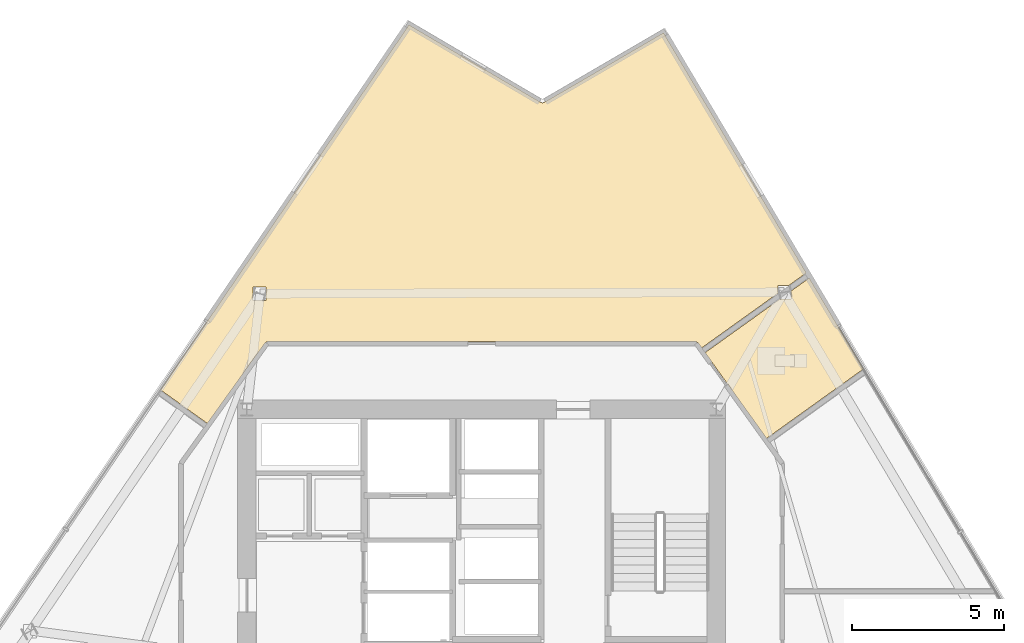
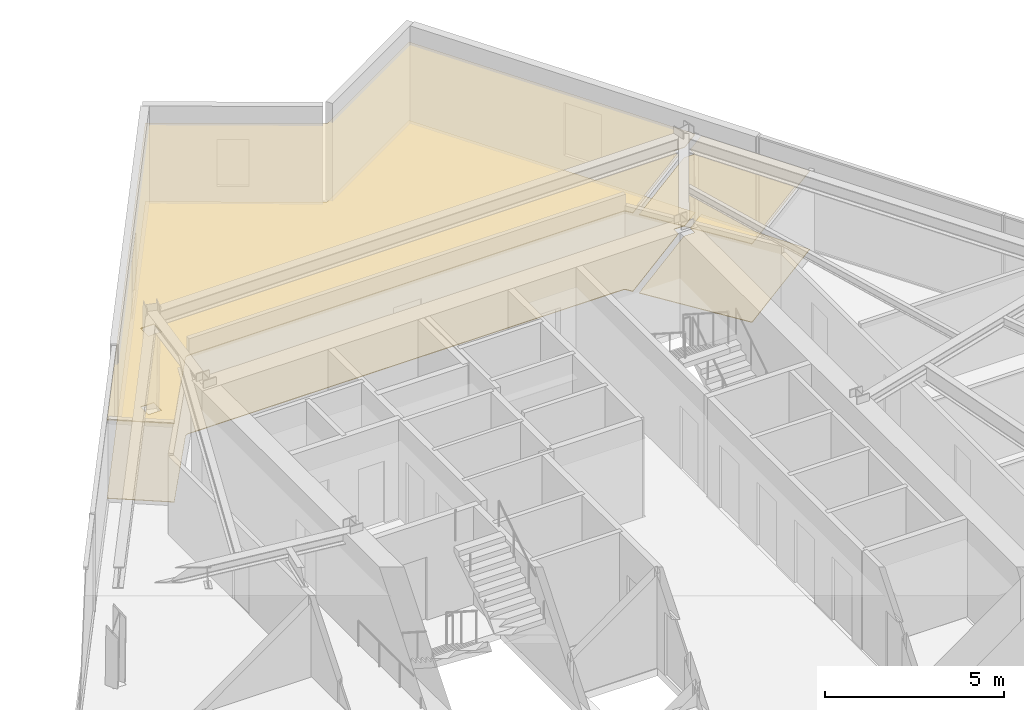
# One storey, part 14 of 15: 4 coverings.
"""IFC4 building model written with IfcOpenShell, lengths in metres."""

from ifc_helpers import new_model, si_unit, direction, frame, origin, place, context, subcontext, project, spatial, polyline, outline, extrude, material, layer, layer_set, type_object, element, save


model = new_model("IFC4")

# Units and contexts
model_context = context("Model", 3, precision=1e-05, world=origin(), true_north=direction((0.0, 1.0)))
body_context = subcontext(model_context, "Body", "Model", "MODEL_VIEW")
ifc_project = project(units=[si_unit("LENGTHUNIT", "METRE"), si_unit("AREAUNIT", "SQUARE_METRE"), si_unit("VOLUMEUNIT", "CUBIC_METRE"), si_unit("PLANEANGLEUNIT", "RADIAN"), si_unit("MASSUNIT", "GRAM", prefix="KILO")], contexts=[model_context])

# Site, building, storey
site_placement = place(None, origin())
site = spatial("IfcSite", under=ifc_project, at=site_placement, CompositionType="ELEMENT")
building_placement = place(site_placement, origin())
building = spatial("IfcBuilding", under=site, at=building_placement, Name="Savorim Split Tower", CompositionType="ELEMENT")
storey_placement = place(building_placement, frame((0.0, 0.0, 107.699951171875)))
storey = spatial("IfcBuildingStorey", under=building, at=storey_placement, Name="L28", CompositionType="ELEMENT", Elevation=107.699951171875)

# Coverings
ifc_material_1 = material(Name="Mineral Fibre Acoustic Ceiling")
ifc_layer_1 = layer(ifc_material_1, 0.02490234375)
ifc_layer_set_1 = layer_set([ifc_layer_1], Name="COV-CEIL-25")
covering_type_1 = type_object("IfcCoveringType", Name="COV-CEIL-25", PredefinedType="CEILING", material=ifc_layer_set_1)
covering_1_placement = place(storey_placement, frame((0.0, 0.0, 2.670166015625)))
element("IfcCovering", 1, at=covering_1_placement, inside=storey, type_object=covering_type_1, Name="L28 Shared Bathroom Acoustic Ceiling", PredefinedType="CEILING", context=body_context, shape_type="SweptSolid", body=[
    extrude(outline(polyline([(9.793701171875, 13.826416015625), (7.329345703125, 12.060791015625), (7.329345703125, 12.060791015625), (9.345703125, 9.24658203125), (12.522216796875, 11.5224609375), (10.74609375, 14.509033203125), (10.147705078125, 14.080078125), (10.147705078125, 13.826416015625), (9.793701171875, 13.826416015625)])), origin(), (0.0, 0.0, 1.0), 0.02490234375),
])
covering_2_placement = place(storey_placement, frame((0.0, 0.0, 2.670166015625)))
element("IfcCovering", 2, at=covering_2_placement, inside=storey, type_object=covering_type_1, Name="L28 Quiet Study Room Acoustic Ceiling", PredefinedType="CEILING", context=body_context, shape_type="SweptSolid", body=[
    extrude(outline(polyline([(1.955322265625, 20.260986328125), (1.944580078125, 20.265380859375), (1.934326171875, 20.270751953125), (-2.384765625, 22.80908203125), (-10.529296875, 10.836669921875), (-8.994384765625, 9.73681640625), (-7.11376953125, 12.361572265625), (-7.105712890625, 12.3720703125), (-7.096435546875, 12.381591796875), (-7.086181640625, 12.39013671875), (-7.075439453125, 12.39794921875), (-7.06396484375, 12.404541015625), (-7.052001953125, 12.409912109375), (-7.039306640625, 12.414306640625), (-7.0263671875, 12.41748046875), (-7.01318359375, 12.41943359375), (-7.0, 12.419921875), (7.0, 12.419921875), (7.01318359375, 12.41943359375), (7.0263671875, 12.41748046875), (7.039306640625, 12.414306640625), (7.052001953125, 12.409912109375), (7.06396484375, 12.404541015625), (7.075439453125, 12.39794921875), (7.086181640625, 12.39013671875), (7.096435546875, 12.381591796875), (7.105712890625, 12.3720703125), (7.11376953125, 12.361572265625), (7.218505859375, 12.215087890625), (9.7216796875, 14.008544921875), (9.7216796875, 14.262451171875), (10.075927734375, 14.262451171875), (10.601318359375, 14.638916015625), (10.648681640625, 14.6728515625), (5.96533203125, 22.54931640625), (2.0556640625, 20.2705078125), (2.04541015625, 20.26513671875), (2.03466796875, 20.260986328125), (2.023681640625, 20.257568359375), (2.01220703125, 20.25537109375), (2.000732421875, 20.25439453125), (1.9892578125, 20.25439453125), (1.977783203125, 20.255615234375), (1.96630859375, 20.2578125), (1.955322265625, 20.260986328125)]), holes=[polyline([(-7.06640625, 14.213623046875), (-7.4921875, 14.213623046875), (-7.4921875, 13.777587890625), (-7.06640625, 13.777587890625), (-7.06640625, 14.213623046875)])]), origin(), (0.0, 0.0, 1.0), 0.02490234375),
])
ifc_material_2 = material(Name="Porcelain Stoneware Flooring", Category="masonry")
ifc_layer_2 = layer(ifc_material_2, 0.02001953125)
ifc_layer_set_2 = layer_set([ifc_layer_2], Name="COV-FLOR-20")
covering_type_2 = type_object("IfcCoveringType", Name="COV-FLOR-20", PredefinedType="FLOORING", material=ifc_layer_set_2)
covering_3_placement = place(storey_placement, origin())
element("IfcCovering", 3, at=covering_3_placement, inside=storey, type_object=covering_type_2, Name="L28 Shared Bathroom Porcelain Flooring", PredefinedType="FLOORING", context=body_context, shape_type="SweptSolid", body=[
    extrude(outline(polyline([(9.793701171875, 13.826416015625), (7.329345703125, 12.060791015625), (7.329345703125, 12.060791015625), (9.345703125, 9.24658203125), (12.522216796875, 11.5224609375), (10.74609375, 14.509033203125), (10.147705078125, 14.080078125), (10.147705078125, 13.826416015625), (9.793701171875, 13.826416015625)])), origin(), (0.0, 0.0, 1.0), 0.02001953125),
])
covering_4_placement = place(storey_placement, origin())
element("IfcCovering", 4, at=covering_4_placement, inside=storey, type_object=covering_type_2, Name="L28 Quiet Study Room Porcelain Flooring", PredefinedType="FLOORING", context=body_context, shape_type="SweptSolid", body=[
    extrude(outline(polyline([(1.955322265625, 20.260986328125), (1.944580078125, 20.265380859375), (1.934326171875, 20.270751953125), (-2.384765625, 22.80908203125), (-10.529296875, 10.836669921875), (-8.994384765625, 9.73681640625), (-7.11376953125, 12.361572265625), (-7.105712890625, 12.3720703125), (-7.096435546875, 12.381591796875), (-7.086181640625, 12.39013671875), (-7.075439453125, 12.39794921875), (-7.06396484375, 12.404541015625), (-7.052001953125, 12.409912109375), (-7.039306640625, 12.414306640625), (-7.0263671875, 12.41748046875), (-7.01318359375, 12.41943359375), (-7.0, 12.419921875), (7.0, 12.419921875), (7.01318359375, 12.41943359375), (7.0263671875, 12.41748046875), (7.039306640625, 12.414306640625), (7.052001953125, 12.409912109375), (7.06396484375, 12.404541015625), (7.075439453125, 12.39794921875), (7.086181640625, 12.39013671875), (7.096435546875, 12.381591796875), (7.105712890625, 12.3720703125), (7.11376953125, 12.361572265625), (7.218505859375, 12.215087890625), (9.7216796875, 14.008544921875), (9.7216796875, 14.262451171875), (10.075927734375, 14.262451171875), (10.601318359375, 14.638916015625), (10.648681640625, 14.6728515625), (5.96533203125, 22.54931640625), (2.0556640625, 20.2705078125), (2.04541015625, 20.26513671875), (2.03466796875, 20.260986328125), (2.023681640625, 20.257568359375), (2.01220703125, 20.25537109375), (2.000732421875, 20.25439453125), (1.9892578125, 20.25439453125), (1.977783203125, 20.255615234375), (1.96630859375, 20.2578125), (1.955322265625, 20.260986328125)]), holes=[polyline([(-7.06640625, 14.213623046875), (-7.4921875, 14.213623046875), (-7.4921875, 13.777587890625), (-7.06640625, 13.777587890625), (-7.06640625, 14.213623046875)])]), origin(), (0.0, 0.0, 1.0), 0.02001953125),
])

save(model, "model.ifc")
